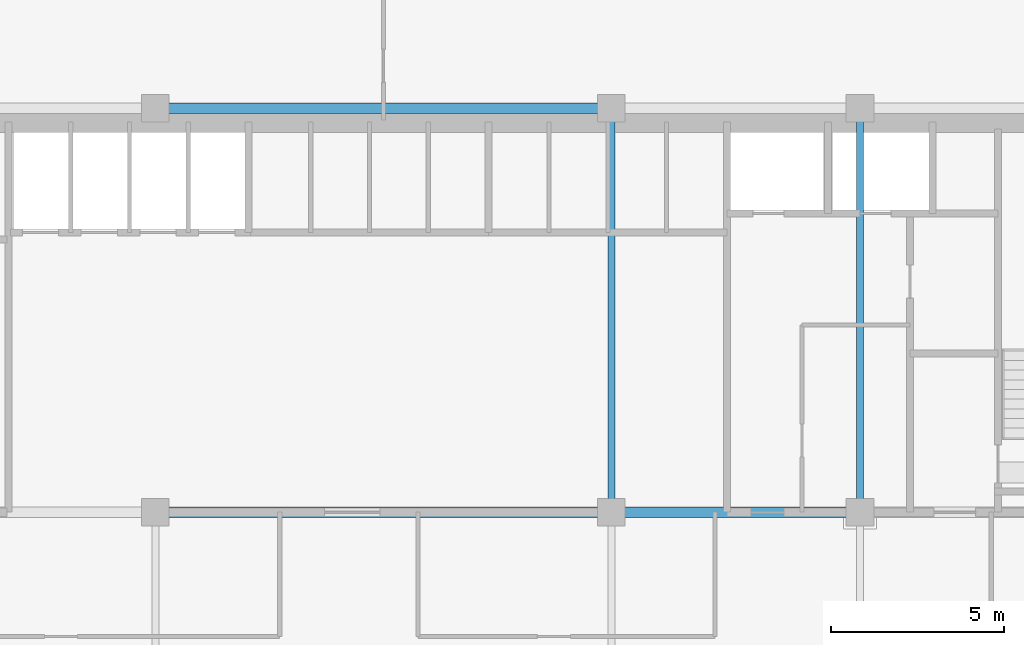
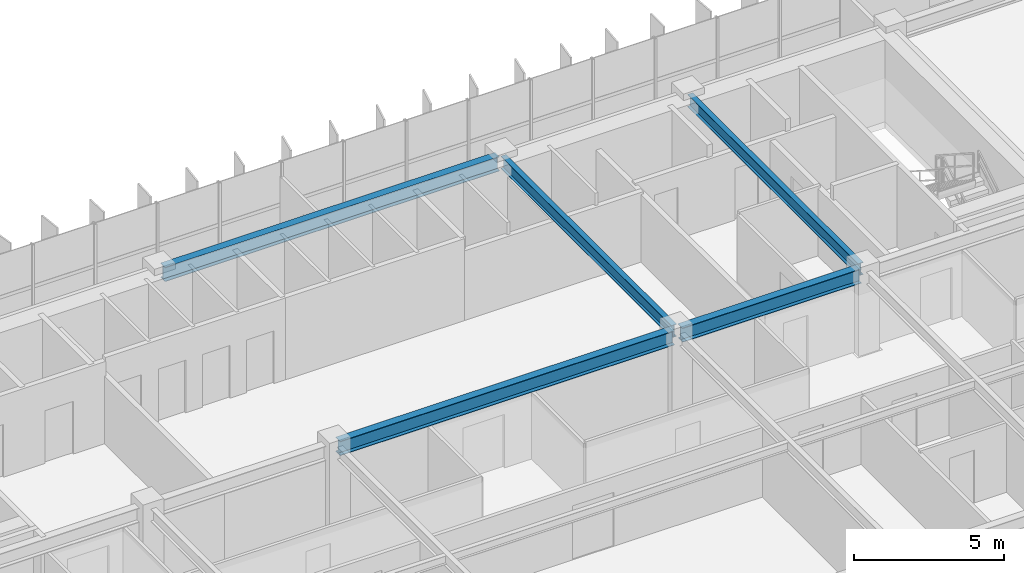
# One storey, part 8 of 22: 5 beams.
"""IFC4 building model written with IfcOpenShell, lengths in metres."""

from ifc_helpers import new_model, si_unit, direction, frame, origin, origin_2d, place, context, subcontext, project, spatial, i_section, extrude, source, transform, mapped, material, material_profile, profile_set, type_object, element, save


model = new_model("IFC4")

# Units and contexts
model_context = context("Model", 3, precision=1e-05, world=origin(), true_north=direction((0.0, 1.0)))
body_context = subcontext(model_context, "Body", "Model", "MODEL_VIEW")
ifc_project = project(units=[si_unit("LENGTHUNIT", "METRE"), si_unit("AREAUNIT", "SQUARE_METRE"), si_unit("VOLUMEUNIT", "CUBIC_METRE"), si_unit("PLANEANGLEUNIT", "RADIAN"), si_unit("MASSUNIT", "GRAM", prefix="KILO")], contexts=[model_context])

# Site, building, storey
site_placement = place(None, origin())
site = spatial("IfcSite", under=ifc_project, at=site_placement, CompositionType="ELEMENT")
building_placement = place(site_placement, origin())
building = spatial("IfcBuilding", under=site, at=building_placement, Name="Trelvane Seafront Commons", CompositionType="ELEMENT")
storey_placement = place(building_placement, frame((0.0, 0.0, 92.5)))
storey = spatial("IfcBuildingStorey", under=building, at=storey_placement, Name="L23", CompositionType="ELEMENT", Elevation=92.5)

# Beams
ifc_material = material(Name="Steel SM355 (S355)", Category="steel")
ifc_material_profile_1 = material_profile(ifc_material, i_section(OverallWidth=0.300048828125, OverallDepth=0.587890625, WebThickness=0.011962890625, FlangeThickness=0.02001953125, at=origin_2d()), Name="H-588x300x12x20")
ifc_profile_set_1 = profile_set([ifc_material_profile_1], Name="Steel SM355 (S355)")
beam_type_1 = type_object("IfcBeamType", Name="STR-BM-H588", PredefinedType="BEAM", material=ifc_profile_set_1)
shared_shape_1 = source(origin(), body_context, "Body", "SweptSolid", [
    extrude(i_section(OverallWidth=0.300048828125, OverallDepth=0.587890625, WebThickness=0.011962890625, FlangeThickness=0.02001953125, at=origin_2d()), origin(), (0.0, 0.0, 1.0), 12.89990234375),
])
for number, where, z_axis, x_axis, name in (
    (1, (30.75, 33.39990234375, 3.0458984375), (1.0, 0.0, 0.0), (0.0, 1.0, 0.0), "L23 Primary Girder G-23"),
    (2, (30.75, 45.10009765625, 3.0458984375), (1.0, 0.0, 0.0), (0.0, 1.0, 0.0), "L23 Primary Girder G-32"),
):
    element("IfcBeam", number, at=place(storey_placement, frame(where, z_axis=z_axis, x_axis=x_axis)), inside=storey, type_object=beam_type_1, Name=name, PredefinedType="BEAM", context=body_context, shape_type="MappedRepresentation", body=[
        mapped(shared_shape_1, transform((0.0, 0.0, 0.0), x_axis=(1.0, 0.0, 0.0), y_axis=(0.0, 1.0, 0.0), z_axis=(0.0, 0.0, 1.0), scale=1.0)),
    ])
shared_shape_2 = source(origin(), body_context, "Body", "SweptSolid", [
    extrude(i_section(OverallWidth=0.300048828125, OverallDepth=0.587890625, WebThickness=0.011962890625, FlangeThickness=0.02001953125, at=origin_2d()), origin(), (0.0, 0.0, 1.0), 6.900146484375),
])
beam_placement = place(storey_placement, frame((43.949951171875, 33.39990234375, 3.0458984375), z_axis=(1.0, 0.0, 0.0), x_axis=(0.0, 1.0, 0.0)))
element("IfcBeam", 3, at=beam_placement, inside=storey, type_object=beam_type_1, Name="L23 Primary Girder G-24", PredefinedType="BEAM", context=body_context, shape_type="MappedRepresentation", body=[
    mapped(shared_shape_2, transform((0.0, 0.0, 0.0), x_axis=(1.0, 0.0, 0.0), y_axis=(0.0, 1.0, 0.0), z_axis=(0.0, 0.0, 1.0), scale=1.0)),
])
ifc_material_profile_2 = material_profile(ifc_material, i_section(OverallWidth=0.199951171875, OverallDepth=0.5, WebThickness=0.010009765625, FlangeThickness=0.01611328125, at=origin_2d()), Name="H-500x200x10x16")
ifc_profile_set_2 = profile_set([ifc_material_profile_2], Name="Steel SM355 (S355)")
beam_type_2 = type_object("IfcBeamType", Name="STR-BM-H500", PredefinedType="BEAM", material=ifc_profile_set_2)
shared_shape_3 = source(origin(), body_context, "Body", "SweptSolid", [
    extrude(i_section(OverallWidth=0.199951171875, OverallDepth=0.5, WebThickness=0.010009765625, FlangeThickness=0.01611328125, at=origin_2d()), origin(), (0.0, 0.0, 1.0), 11.39990234375),
])
for number, where, z_axis, x_axis, name in (
    (4, (43.800048828125, 33.550048828125, 3.090087890625), (0.0, 1.0, 0.0), (-1.0, 0.0, 0.0), "L23 Primary Girder G-54"),
    (5, (51.0, 33.550048828125, 3.090087890625), (0.0, 1.0, 0.0), (-1.0, 0.0, 0.0), "L23 Primary Girder G-57"),
):
    element("IfcBeam", number, at=place(storey_placement, frame(where, z_axis=z_axis, x_axis=x_axis)), inside=storey, type_object=beam_type_2, Name=name, PredefinedType="BEAM", context=body_context, shape_type="MappedRepresentation", body=[
        mapped(shared_shape_3, transform((0.0, 0.0, 0.0), x_axis=(1.0, 0.0, 0.0), y_axis=(0.0, 1.0, 0.0), z_axis=(0.0, 0.0, 1.0), scale=1.0)),
    ])

save(model, "model.ifc")
